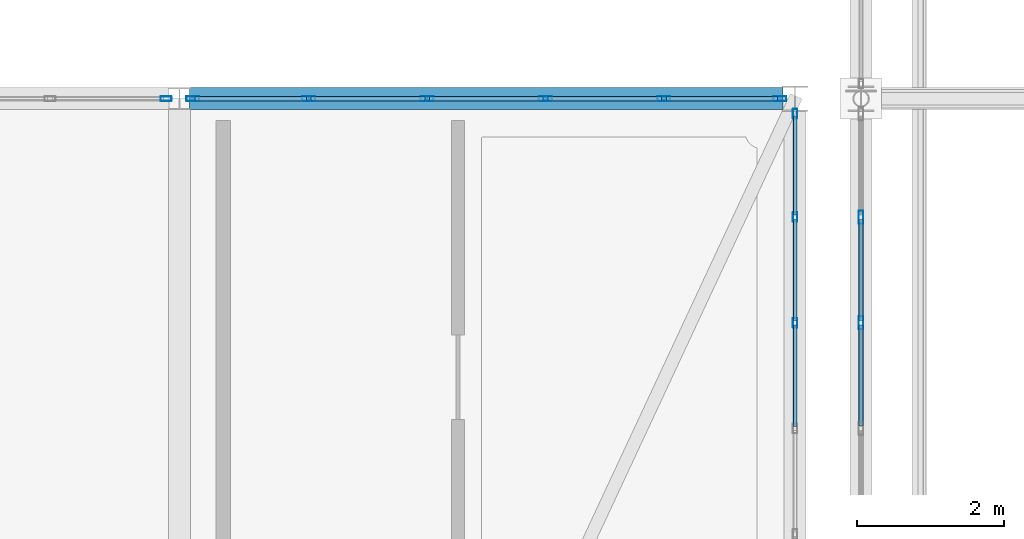
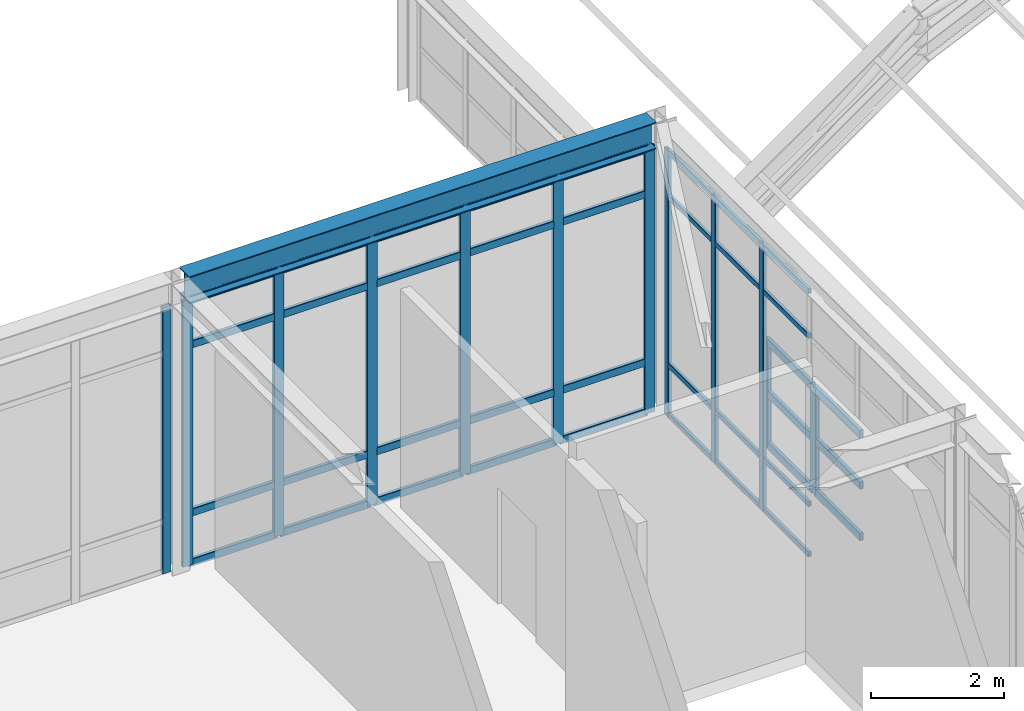
# One storey, part 71 of 121: 50 members, 1 beam, 4 elements without a shape of their own.
"""IFC4 building model written with IfcOpenShell, lengths in metres."""

from ifc_helpers import new_model, si_unit, direction, frame, origin, origin_2d, place, context, subcontext, project, spatial, hollow_rectangle, i_section, extrude, material, material_profile, profile_set, type_object, element, aggregate, save


model = new_model("IFC4")

# Units and contexts
model_context = context("Model", 3, precision=1e-05, world=origin(), true_north=direction((0.0, 1.0)))
body_context = subcontext(model_context, "Body", "Model", "MODEL_VIEW")
ifc_project = project(units=[si_unit("LENGTHUNIT", "METRE"), si_unit("AREAUNIT", "SQUARE_METRE"), si_unit("VOLUMEUNIT", "CUBIC_METRE"), si_unit("PLANEANGLEUNIT", "RADIAN"), si_unit("MASSUNIT", "GRAM", prefix="KILO")], contexts=[model_context])

# Site, building, storey
site_placement = place(None, origin())
site = spatial("IfcSite", under=ifc_project, at=site_placement, CompositionType="ELEMENT")
building_placement = place(site_placement, origin())
building = spatial("IfcBuilding", under=site, at=building_placement, Name="Canglan Escarpment Cableway Terminal", CompositionType="ELEMENT")
storey_placement = place(building_placement, frame((0.0, 0.0, 24.60009765625)))
storey = spatial("IfcBuildingStorey", under=building, at=storey_placement, Name="L05", CompositionType="ELEMENT", Elevation=24.60009765625)

# Beam
ifc_material_1 = material(Name="Steel Q355B", Category="steel")
ifc_material_profile_1 = material_profile(ifc_material_1, i_section(OverallWidth=0.300048828125, OverallDepth=0.488037109375, WebThickness=0.010986328125, FlangeThickness=0.01806640625, FilletRadius=0.02587890625, at=origin_2d()), Name="HM 488x300x11x18")
ifc_profile_set_1 = profile_set([ifc_material_profile_1], Name="Steel Q355B")
beam_type = type_object("IfcBeamType", Name="BM-HM488", PredefinedType="BEAM", material=ifc_profile_set_1)
beam_placement = place(storey_placement, frame((128.43994140625, 115.0, 5.139892578125), z_axis=(1.0, 0.0, 0.0), x_axis=(0.0, 1.0, 0.0)))
element("IfcBeam", 1, at=beam_placement, inside=storey, type_object=beam_type, Name="Drive House roof eave tie girder B-09", PredefinedType="BEAM", context=body_context, shape_type="SweptSolid", body=[
    extrude(i_section(OverallWidth=0.300048828125, OverallDepth=0.488037109375, WebThickness=0.010986328125, FlangeThickness=0.01806640625, FilletRadius=0.02587890625, at=origin_2d()), origin(), (0.0, 0.0, 1.0), 8.094970703125),
])

# Curtain wall, members
ifc_material_2 = material(Name="Anodized bronze aluminium and Low-E double glazing", Category="aluminium")
curtain_wall_type_1 = type_object("IfcCurtainWallType", Name="CW-BAY-8650x4875", PredefinedType="NOTDEFINED", material=ifc_material_2)
curtain_wall_1_placement = place(storey_placement, origin())
curtain_wall_1 = element("IfcCurtainWall", 2, at=curtain_wall_1_placement, inside=storey, type_object=curtain_wall_type_1, Name="Classical bay-between-piers glazed curtain wall CW-58", PredefinedType="NOTDEFINED")
ifc_material_3 = material(Name="Thermally broken anodized aluminium 6063-T6", Category="aluminium")
ifc_material_profile_2 = material_profile(ifc_material_3, hollow_rectangle(XDim=0.06005859375, YDim=0.1298828125, WallThickness=0.0029296875, InnerFilletRadius=0.0029296875, OuterFilletRadius=0.006103515625, at=origin_2d()), Name="ALU-MULL 60x130x3")
ifc_profile_set_2 = profile_set([ifc_material_profile_2], Name="Thermally broken anodized aluminium 6063-T6")
member_type_1 = type_object("IfcMemberType", Name="CWM-01", PredefinedType="MULLION", material=ifc_profile_set_2)
member_1_placement = place(storey_placement, frame((136.699951171875, 111.941650390625, 0.0), z_axis=(0.0, 0.0, 1.0), x_axis=(-1.0, 0.0, 0.0)))
member_1 = element("IfcMember", 3, at=member_1_placement, type_object=member_type_1, Name="CW-58 mullion 5", PredefinedType="MULLION", context=body_context, shape_type="SweptSolid", body=[
    extrude(hollow_rectangle(XDim=0.06005859375, YDim=0.1298828125, WallThickness=0.0029296875, InnerFilletRadius=0.0029296875, OuterFilletRadius=0.006103515625, at=origin_2d()), origin(), (0.0, 0.0, 1.0), 4.880859375),
])
member_2_placement = place(storey_placement, frame((136.699951171875, 113.38330078125, 0.0), z_axis=(0.0, 0.0, 1.0), x_axis=(-1.0, 0.0, 0.0)))
member_2 = element("IfcMember", 4, at=member_2_placement, type_object=member_type_1, Name="CW-58 mullion 6", PredefinedType="MULLION", context=body_context, shape_type="SweptSolid", body=[
    extrude(hollow_rectangle(XDim=0.06005859375, YDim=0.1298828125, WallThickness=0.0029296875, InnerFilletRadius=0.0029296875, OuterFilletRadius=0.006103515625, at=origin_2d()), origin(), (0.0, 0.0, 1.0), 4.880859375),
])
member_3_placement = place(storey_placement, frame((136.699951171875, 114.794921875, 0.0), z_axis=(0.0, 0.0, 1.0), x_axis=(-1.0, 0.0, 0.0)))
member_3 = element("IfcMember", 5, at=member_3_placement, type_object=member_type_1, Name="CW-58 mullion 7", PredefinedType="MULLION", context=body_context, shape_type="SweptSolid", body=[
    extrude(hollow_rectangle(XDim=0.06005859375, YDim=0.1298828125, WallThickness=0.0029296875, InnerFilletRadius=0.0029296875, OuterFilletRadius=0.006103515625, at=origin_2d()), origin(), (0.0, 0.0, 1.0), 4.880859375),
])

# Curtain wall, member
curtain_wall_type_2 = type_object("IfcCurtainWallType", Name="CW-BAY-8075x4875", PredefinedType="NOTDEFINED", material=ifc_material_2)
curtain_wall_2_placement = place(storey_placement, origin())
curtain_wall_2 = element("IfcCurtainWall", 6, at=curtain_wall_2_placement, inside=storey, type_object=curtain_wall_type_2, Name="Classical bay-between-piers glazed curtain wall CW-59", PredefinedType="NOTDEFINED")
ifc_material_profile_3 = material_profile(ifc_material_3, hollow_rectangle(XDim=0.06494140625, YDim=0.14990234375, WallThickness=0.00341796875, InnerFilletRadius=0.00341796875, OuterFilletRadius=0.007080078125, at=origin_2d()), Name="ALU-MULL 65x150x3.5")
ifc_profile_set_3 = profile_set([ifc_material_profile_3], Name="Thermally broken anodized aluminium 6063-T6")
member_type_2 = type_object("IfcMemberType", Name="CWM-02", PredefinedType="MULLION", material=ifc_profile_set_3)
member_4_placement = place(storey_placement, frame((128.117431640625, 115.0, 0.0), z_axis=(0.0, 0.0, 1.0), x_axis=(0.0, -1.0, 0.0)))
member_4 = element("IfcMember", 7, at=member_4_placement, type_object=member_type_2, Name="CW-59 mullion 1", PredefinedType="MULLION", context=body_context, shape_type="SweptSolid", body=[
    extrude(hollow_rectangle(XDim=0.06494140625, YDim=0.14990234375, WallThickness=0.00341796875, InnerFilletRadius=0.00341796875, OuterFilletRadius=0.007080078125, at=origin_2d()), origin(), (0.0, 0.0, 1.0), 4.880859375),
])
aggregate(curtain_wall_2, [member_4])

# Curtain wall, members
curtain_wall_3_placement = place(storey_placement, origin())
curtain_wall_3 = element("IfcCurtainWall", 8, at=curtain_wall_3_placement, inside=storey, type_object=curtain_wall_type_2, Name="Classical bay-between-piers glazed curtain wall CW-59", PredefinedType="NOTDEFINED")
ifc_material_profile_4 = material_profile(ifc_material_3, hollow_rectangle(XDim=0.06494140625, YDim=0.179931640625, WallThickness=0.00390625, InnerFilletRadius=0.00390625, OuterFilletRadius=0.008056640625, at=origin_2d()), Name="ALU-MULL 65x180x4")
ifc_profile_set_4 = profile_set([ifc_material_profile_4], Name="Thermally broken anodized aluminium 6063-T6")
member_type_3 = type_object("IfcMemberType", Name="CWM-03", PredefinedType="MULLION", material=ifc_profile_set_4)
member_5_placement = place(storey_placement, frame((136.492431640625, 115.0, 0.0), z_axis=(0.0, 0.0, 1.0), x_axis=(0.0, -1.0, 0.0)))
member_5 = element("IfcMember", 9, at=member_5_placement, type_object=member_type_3, Name="CW-59 mullion 1", PredefinedType="MULLION", context=body_context, shape_type="SweptSolid", body=[
    extrude(hollow_rectangle(XDim=0.06494140625, YDim=0.179931640625, WallThickness=0.00390625, InnerFilletRadius=0.00390625, OuterFilletRadius=0.008056640625, at=origin_2d()), origin(), (0.0, 0.0, 1.0), 4.880859375),
])
member_6_placement = place(storey_placement, frame((134.909912109375, 115.0, 0.0), z_axis=(0.0, 0.0, 1.0), x_axis=(0.0, -1.0, 0.0)))
member_6 = element("IfcMember", 10, at=member_6_placement, type_object=member_type_3, Name="CW-59 mullion 2", PredefinedType="MULLION", context=body_context, shape_type="SweptSolid", body=[
    extrude(hollow_rectangle(XDim=0.06494140625, YDim=0.179931640625, WallThickness=0.00390625, InnerFilletRadius=0.00390625, OuterFilletRadius=0.008056640625, at=origin_2d()), origin(), (0.0, 0.0, 1.0), 4.880859375),
])
member_7_placement = place(storey_placement, frame((133.294921875, 115.0, 0.0), z_axis=(0.0, 0.0, 1.0), x_axis=(0.0, -1.0, 0.0)))
member_7 = element("IfcMember", 11, at=member_7_placement, type_object=member_type_3, Name="CW-59 mullion 3", PredefinedType="MULLION", context=body_context, shape_type="SweptSolid", body=[
    extrude(hollow_rectangle(XDim=0.06494140625, YDim=0.179931640625, WallThickness=0.00390625, InnerFilletRadius=0.00390625, OuterFilletRadius=0.008056640625, at=origin_2d()), origin(), (0.0, 0.0, 1.0), 4.880859375),
])
member_8_placement = place(storey_placement, frame((131.679931640625, 115.0, 0.0), z_axis=(0.0, 0.0, 1.0), x_axis=(0.0, -1.0, 0.0)))
member_8 = element("IfcMember", 12, at=member_8_placement, type_object=member_type_3, Name="CW-59 mullion 4", PredefinedType="MULLION", context=body_context, shape_type="SweptSolid", body=[
    extrude(hollow_rectangle(XDim=0.06494140625, YDim=0.179931640625, WallThickness=0.00390625, InnerFilletRadius=0.00390625, OuterFilletRadius=0.008056640625, at=origin_2d()), origin(), (0.0, 0.0, 1.0), 4.880859375),
])
member_9_placement = place(storey_placement, frame((130.06494140625, 115.0, 0.0), z_axis=(0.0, 0.0, 1.0), x_axis=(0.0, -1.0, 0.0)))
member_9 = element("IfcMember", 13, at=member_9_placement, type_object=member_type_3, Name="CW-59 mullion 5", PredefinedType="MULLION", context=body_context, shape_type="SweptSolid", body=[
    extrude(hollow_rectangle(XDim=0.06494140625, YDim=0.179931640625, WallThickness=0.00390625, InnerFilletRadius=0.00390625, OuterFilletRadius=0.008056640625, at=origin_2d()), origin(), (0.0, 0.0, 1.0), 4.880859375),
])
member_10_placement = place(storey_placement, frame((128.482421875, 115.0, 0.0), z_axis=(0.0, 0.0, 1.0), x_axis=(0.0, -1.0, 0.0)))
member_10 = element("IfcMember", 14, at=member_10_placement, type_object=member_type_3, Name="CW-59 mullion 6", PredefinedType="MULLION", context=body_context, shape_type="SweptSolid", body=[
    extrude(hollow_rectangle(XDim=0.06494140625, YDim=0.179931640625, WallThickness=0.00390625, InnerFilletRadius=0.00390625, OuterFilletRadius=0.008056640625, at=origin_2d()), origin(), (0.0, 0.0, 1.0), 4.880859375),
])

curtain_wall_type_3 = type_object("IfcCurtainWallType", Name="CW-BAY-8650x1950", PredefinedType="NOTDEFINED", material=ifc_material_2)
curtain_wall_4_placement = place(storey_placement, origin())
curtain_wall_4 = element("IfcCurtainWall", 15, at=curtain_wall_4_placement, inside=storey, type_object=curtain_wall_type_3, Name="Classical bay-between-piers glazed curtain wall CW-66", PredefinedType="NOTDEFINED")
member_11_placement = place(storey_placement, frame((137.60009765625, 113.38330078125, 0.0), z_axis=(0.0, 0.0, 1.0), x_axis=(1.0, 0.0, 0.0)))
member_11 = element("IfcMember", 16, at=member_11_placement, type_object=member_type_3, Name="CW-66 mullion 2", PredefinedType="MULLION", context=body_context, shape_type="SweptSolid", body=[
    extrude(hollow_rectangle(XDim=0.06494140625, YDim=0.179931640625, WallThickness=0.00390625, InnerFilletRadius=0.00390625, OuterFilletRadius=0.008056640625, at=origin_2d()), origin(), (0.0, 0.0, 1.0), 1.949951171875),
])
member_12_placement = place(storey_placement, frame((137.60009765625, 111.941650390625, 0.0), z_axis=(0.0, 0.0, 1.0), x_axis=(1.0, 0.0, 0.0)))
member_12 = element("IfcMember", 17, at=member_12_placement, type_object=member_type_3, Name="CW-66 mullion 3", PredefinedType="MULLION", context=body_context, shape_type="SweptSolid", body=[
    extrude(hollow_rectangle(XDim=0.06494140625, YDim=0.179931640625, WallThickness=0.00390625, InnerFilletRadius=0.00390625, OuterFilletRadius=0.008056640625, at=origin_2d()), origin(), (0.0, 0.0, 1.0), 1.949951171875),
])

# Member
ifc_material_profile_5 = material_profile(ifc_material_3, hollow_rectangle(XDim=0.054931640625, YDim=0.094970703125, WallThickness=0.0029296875, InnerFilletRadius=0.0029296875, OuterFilletRadius=0.006103515625, at=origin_2d()), Name="ALU-TRAN 55x95x3")
ifc_profile_set_5 = profile_set([ifc_material_profile_5], Name="Thermally broken anodized aluminium 6063-T6")
member_type_4 = type_object("IfcMemberType", Name="CWT-01", PredefinedType="USERDEFINED", material=ifc_profile_set_5)
member_13_placement = place(storey_placement, frame((136.699951171875, 110.530029296875, 0.02734375), z_axis=(0.0, 1.0, 0.0), x_axis=(-1.0, 0.0, 0.0)))
member_13 = element("IfcMember", 18, at=member_13_placement, type_object=member_type_4, Name="CW-58 transom 4.1", ObjectType="TRANSOM", PredefinedType="USERDEFINED", context=body_context, shape_type="SweptSolid", body=[
    extrude(hollow_rectangle(XDim=0.054931640625, YDim=0.094970703125, WallThickness=0.0029296875, InnerFilletRadius=0.0029296875, OuterFilletRadius=0.006103515625, at=origin_2d()), origin(), (0.0, 0.0, 1.0), 1.381591796875),
])

member_14_placement = place(storey_placement, frame((136.699951171875, 110.530029296875, 0.949951171875), z_axis=(0.0, 1.0, 0.0), x_axis=(-1.0, 0.0, 0.0)))
member_14 = element("IfcMember", 19, at=member_14_placement, type_object=member_type_4, Name="CW-58 transom 4.2", ObjectType="TRANSOM", PredefinedType="USERDEFINED", context=body_context, shape_type="SweptSolid", body=[
    extrude(hollow_rectangle(XDim=0.054931640625, YDim=0.094970703125, WallThickness=0.0029296875, InnerFilletRadius=0.0029296875, OuterFilletRadius=0.006103515625, at=origin_2d()), origin(), (0.0, 0.0, 1.0), 1.381591796875),
])

member_15_placement = place(storey_placement, frame((136.699951171875, 110.530029296875, 4.031005859375), z_axis=(0.0, 1.0, 0.0), x_axis=(-1.0, 0.0, 0.0)))
member_15 = element("IfcMember", 20, at=member_15_placement, type_object=member_type_4, Name="CW-58 transom 4.3", ObjectType="TRANSOM", PredefinedType="USERDEFINED", context=body_context, shape_type="SweptSolid", body=[
    extrude(hollow_rectangle(XDim=0.054931640625, YDim=0.094970703125, WallThickness=0.0029296875, InnerFilletRadius=0.0029296875, OuterFilletRadius=0.006103515625, at=origin_2d()), origin(), (0.0, 0.0, 1.0), 1.381591796875),
])

member_16_placement = place(storey_placement, frame((136.699951171875, 110.530029296875, 4.853515625), z_axis=(0.0, 1.0, 0.0), x_axis=(-1.0, 0.0, 0.0)))
member_16 = element("IfcMember", 21, at=member_16_placement, type_object=member_type_4, Name="CW-58 transom 4.4", ObjectType="TRANSOM", PredefinedType="USERDEFINED", context=body_context, shape_type="SweptSolid", body=[
    extrude(hollow_rectangle(XDim=0.054931640625, YDim=0.094970703125, WallThickness=0.0029296875, InnerFilletRadius=0.0029296875, OuterFilletRadius=0.006103515625, at=origin_2d()), origin(), (0.0, 0.0, 1.0), 1.381591796875),
])

member_17_placement = place(storey_placement, frame((136.699951171875, 111.9716796875, 0.02734375), z_axis=(0.0, 1.0, 0.0), x_axis=(-1.0, 0.0, 0.0)))
member_17 = element("IfcMember", 22, at=member_17_placement, type_object=member_type_4, Name="CW-58 transom 5.1", ObjectType="TRANSOM", PredefinedType="USERDEFINED", context=body_context, shape_type="SweptSolid", body=[
    extrude(hollow_rectangle(XDim=0.054931640625, YDim=0.094970703125, WallThickness=0.0029296875, InnerFilletRadius=0.0029296875, OuterFilletRadius=0.006103515625, at=origin_2d()), origin(), (0.0, 0.0, 1.0), 1.381591796875),
])

member_18_placement = place(storey_placement, frame((136.699951171875, 111.9716796875, 0.949951171875), z_axis=(0.0, 1.0, 0.0), x_axis=(-1.0, 0.0, 0.0)))
member_18 = element("IfcMember", 23, at=member_18_placement, type_object=member_type_4, Name="CW-58 transom 5.2", ObjectType="TRANSOM", PredefinedType="USERDEFINED", context=body_context, shape_type="SweptSolid", body=[
    extrude(hollow_rectangle(XDim=0.054931640625, YDim=0.094970703125, WallThickness=0.0029296875, InnerFilletRadius=0.0029296875, OuterFilletRadius=0.006103515625, at=origin_2d()), origin(), (0.0, 0.0, 1.0), 1.381591796875),
])

member_19_placement = place(storey_placement, frame((136.699951171875, 111.9716796875, 4.031005859375), z_axis=(0.0, 1.0, 0.0), x_axis=(-1.0, 0.0, 0.0)))
member_19 = element("IfcMember", 24, at=member_19_placement, type_object=member_type_4, Name="CW-58 transom 5.3", ObjectType="TRANSOM", PredefinedType="USERDEFINED", context=body_context, shape_type="SweptSolid", body=[
    extrude(hollow_rectangle(XDim=0.054931640625, YDim=0.094970703125, WallThickness=0.0029296875, InnerFilletRadius=0.0029296875, OuterFilletRadius=0.006103515625, at=origin_2d()), origin(), (0.0, 0.0, 1.0), 1.381591796875),
])

member_20_placement = place(storey_placement, frame((136.699951171875, 111.9716796875, 4.853515625), z_axis=(0.0, 1.0, 0.0), x_axis=(-1.0, 0.0, 0.0)))
member_20 = element("IfcMember", 25, at=member_20_placement, type_object=member_type_4, Name="CW-58 transom 5.4", ObjectType="TRANSOM", PredefinedType="USERDEFINED", context=body_context, shape_type="SweptSolid", body=[
    extrude(hollow_rectangle(XDim=0.054931640625, YDim=0.094970703125, WallThickness=0.0029296875, InnerFilletRadius=0.0029296875, OuterFilletRadius=0.006103515625, at=origin_2d()), origin(), (0.0, 0.0, 1.0), 1.381591796875),
])

member_21_placement = place(storey_placement, frame((136.699951171875, 113.413330078125, 0.02734375), z_axis=(0.0, 1.0, 0.0), x_axis=(-1.0, 0.0, 0.0)))
member_21 = element("IfcMember", 26, at=member_21_placement, type_object=member_type_4, Name="CW-58 transom 6.1", ObjectType="TRANSOM", PredefinedType="USERDEFINED", context=body_context, shape_type="SweptSolid", body=[
    extrude(hollow_rectangle(XDim=0.054931640625, YDim=0.094970703125, WallThickness=0.0029296875, InnerFilletRadius=0.0029296875, OuterFilletRadius=0.006103515625, at=origin_2d()), origin(), (0.0, 0.0, 1.0), 1.3515625),
])

member_22_placement = place(storey_placement, frame((136.699951171875, 113.413330078125, 0.949951171875), z_axis=(0.0, 1.0, 0.0), x_axis=(-1.0, 0.0, 0.0)))
member_22 = element("IfcMember", 27, at=member_22_placement, type_object=member_type_4, Name="CW-58 transom 6.2", ObjectType="TRANSOM", PredefinedType="USERDEFINED", context=body_context, shape_type="SweptSolid", body=[
    extrude(hollow_rectangle(XDim=0.054931640625, YDim=0.094970703125, WallThickness=0.0029296875, InnerFilletRadius=0.0029296875, OuterFilletRadius=0.006103515625, at=origin_2d()), origin(), (0.0, 0.0, 1.0), 1.3515625),
])

member_23_placement = place(storey_placement, frame((136.699951171875, 113.413330078125, 4.031005859375), z_axis=(0.0, 1.0, 0.0), x_axis=(-1.0, 0.0, 0.0)))
member_23 = element("IfcMember", 28, at=member_23_placement, type_object=member_type_4, Name="CW-58 transom 6.3", ObjectType="TRANSOM", PredefinedType="USERDEFINED", context=body_context, shape_type="SweptSolid", body=[
    extrude(hollow_rectangle(XDim=0.054931640625, YDim=0.094970703125, WallThickness=0.0029296875, InnerFilletRadius=0.0029296875, OuterFilletRadius=0.006103515625, at=origin_2d()), origin(), (0.0, 0.0, 1.0), 1.3515625),
])

member_24_placement = place(storey_placement, frame((136.699951171875, 113.413330078125, 4.853515625), z_axis=(0.0, 1.0, 0.0), x_axis=(-1.0, 0.0, 0.0)))
member_24 = element("IfcMember", 29, at=member_24_placement, type_object=member_type_4, Name="CW-58 transom 6.4", ObjectType="TRANSOM", PredefinedType="USERDEFINED", context=body_context, shape_type="SweptSolid", body=[
    extrude(hollow_rectangle(XDim=0.054931640625, YDim=0.094970703125, WallThickness=0.0029296875, InnerFilletRadius=0.0029296875, OuterFilletRadius=0.006103515625, at=origin_2d()), origin(), (0.0, 0.0, 1.0), 1.3515625),
])

aggregate(curtain_wall_1, [member_1, member_2, member_3, member_13, member_14, member_15, member_16, member_17, member_18, member_19, member_20, member_21, member_22, member_23, member_24])

ifc_material_profile_6 = material_profile(ifc_material_3, hollow_rectangle(XDim=0.06494140625, YDim=0.139892578125, WallThickness=0.00341796875, InnerFilletRadius=0.00341796875, OuterFilletRadius=0.007080078125, at=origin_2d()), Name="ALU-TRAN 65x140x3.5")
ifc_profile_set_6 = profile_set([ifc_material_profile_6], Name="Thermally broken anodized aluminium 6063-T6")
member_type_5 = type_object("IfcMemberType", Name="CWT-03", PredefinedType="USERDEFINED", material=ifc_profile_set_6)
member_25_placement = place(storey_placement, frame((136.4599609375, 115.0, 0.032470703125), z_axis=(-1.0, 0.0, 0.0), x_axis=(0.0, -1.0, 0.0)))
member_25 = element("IfcMember", 30, at=member_25_placement, type_object=member_type_5, Name="CW-59 transom 1.1", ObjectType="TRANSOM", PredefinedType="USERDEFINED", context=body_context, shape_type="SweptSolid", body=[
    extrude(hollow_rectangle(XDim=0.06494140625, YDim=0.139892578125, WallThickness=0.00341796875, InnerFilletRadius=0.00341796875, OuterFilletRadius=0.007080078125, at=origin_2d()), origin(), (0.0, 0.0, 1.0), 1.517578125),
])

member_26_placement = place(storey_placement, frame((136.4599609375, 115.0, 0.949951171875), z_axis=(-1.0, 0.0, 0.0), x_axis=(0.0, -1.0, 0.0)))
member_26 = element("IfcMember", 31, at=member_26_placement, type_object=member_type_5, Name="CW-59 transom 1.2", ObjectType="TRANSOM", PredefinedType="USERDEFINED", context=body_context, shape_type="SweptSolid", body=[
    extrude(hollow_rectangle(XDim=0.06494140625, YDim=0.139892578125, WallThickness=0.00341796875, InnerFilletRadius=0.00341796875, OuterFilletRadius=0.007080078125, at=origin_2d()), origin(), (0.0, 0.0, 1.0), 1.517578125),
])

member_27_placement = place(storey_placement, frame((136.4599609375, 115.0, 4.031005859375), z_axis=(-1.0, 0.0, 0.0), x_axis=(0.0, -1.0, 0.0)))
member_27 = element("IfcMember", 32, at=member_27_placement, type_object=member_type_5, Name="CW-59 transom 1.3", ObjectType="TRANSOM", PredefinedType="USERDEFINED", context=body_context, shape_type="SweptSolid", body=[
    extrude(hollow_rectangle(XDim=0.06494140625, YDim=0.139892578125, WallThickness=0.00341796875, InnerFilletRadius=0.00341796875, OuterFilletRadius=0.007080078125, at=origin_2d()), origin(), (0.0, 0.0, 1.0), 1.517578125),
])

member_28_placement = place(storey_placement, frame((136.4599609375, 115.0, 4.848388671875), z_axis=(-1.0, 0.0, 0.0), x_axis=(0.0, -1.0, 0.0)))
member_28 = element("IfcMember", 33, at=member_28_placement, type_object=member_type_5, Name="CW-59 transom 1.4", ObjectType="TRANSOM", PredefinedType="USERDEFINED", context=body_context, shape_type="SweptSolid", body=[
    extrude(hollow_rectangle(XDim=0.06494140625, YDim=0.139892578125, WallThickness=0.00341796875, InnerFilletRadius=0.00341796875, OuterFilletRadius=0.007080078125, at=origin_2d()), origin(), (0.0, 0.0, 1.0), 1.517578125),
])

member_29_placement = place(storey_placement, frame((134.87744140625, 115.0, 0.032470703125), z_axis=(-1.0, 0.0, 0.0), x_axis=(0.0, -1.0, 0.0)))
member_29 = element("IfcMember", 34, at=member_29_placement, type_object=member_type_5, Name="CW-59 transom 2.1", ObjectType="TRANSOM", PredefinedType="USERDEFINED", context=body_context, shape_type="SweptSolid", body=[
    extrude(hollow_rectangle(XDim=0.06494140625, YDim=0.139892578125, WallThickness=0.00341796875, InnerFilletRadius=0.00341796875, OuterFilletRadius=0.007080078125, at=origin_2d()), origin(), (0.0, 0.0, 1.0), 1.550048828125),
])

member_30_placement = place(storey_placement, frame((134.87744140625, 115.0, 0.949951171875), z_axis=(-1.0, 0.0, 0.0), x_axis=(0.0, -1.0, 0.0)))
member_30 = element("IfcMember", 35, at=member_30_placement, type_object=member_type_5, Name="CW-59 transom 2.2", ObjectType="TRANSOM", PredefinedType="USERDEFINED", context=body_context, shape_type="SweptSolid", body=[
    extrude(hollow_rectangle(XDim=0.06494140625, YDim=0.139892578125, WallThickness=0.00341796875, InnerFilletRadius=0.00341796875, OuterFilletRadius=0.007080078125, at=origin_2d()), origin(), (0.0, 0.0, 1.0), 1.550048828125),
])

member_31_placement = place(storey_placement, frame((134.87744140625, 115.0, 4.031005859375), z_axis=(-1.0, 0.0, 0.0), x_axis=(0.0, -1.0, 0.0)))
member_31 = element("IfcMember", 36, at=member_31_placement, type_object=member_type_5, Name="CW-59 transom 2.3", ObjectType="TRANSOM", PredefinedType="USERDEFINED", context=body_context, shape_type="SweptSolid", body=[
    extrude(hollow_rectangle(XDim=0.06494140625, YDim=0.139892578125, WallThickness=0.00341796875, InnerFilletRadius=0.00341796875, OuterFilletRadius=0.007080078125, at=origin_2d()), origin(), (0.0, 0.0, 1.0), 1.550048828125),
])

member_32_placement = place(storey_placement, frame((134.87744140625, 115.0, 4.848388671875), z_axis=(-1.0, 0.0, 0.0), x_axis=(0.0, -1.0, 0.0)))
member_32 = element("IfcMember", 37, at=member_32_placement, type_object=member_type_5, Name="CW-59 transom 2.4", ObjectType="TRANSOM", PredefinedType="USERDEFINED", context=body_context, shape_type="SweptSolid", body=[
    extrude(hollow_rectangle(XDim=0.06494140625, YDim=0.139892578125, WallThickness=0.00341796875, InnerFilletRadius=0.00341796875, OuterFilletRadius=0.007080078125, at=origin_2d()), origin(), (0.0, 0.0, 1.0), 1.550048828125),
])

member_33_placement = place(storey_placement, frame((133.262451171875, 115.0, 0.032470703125), z_axis=(-1.0, 0.0, 0.0), x_axis=(0.0, -1.0, 0.0)))
member_33 = element("IfcMember", 38, at=member_33_placement, type_object=member_type_5, Name="CW-59 transom 3.1", ObjectType="TRANSOM", PredefinedType="USERDEFINED", context=body_context, shape_type="SweptSolid", body=[
    extrude(hollow_rectangle(XDim=0.06494140625, YDim=0.139892578125, WallThickness=0.00341796875, InnerFilletRadius=0.00341796875, OuterFilletRadius=0.007080078125, at=origin_2d()), origin(), (0.0, 0.0, 1.0), 1.550048828125),
])

member_34_placement = place(storey_placement, frame((133.262451171875, 115.0, 0.949951171875), z_axis=(-1.0, 0.0, 0.0), x_axis=(0.0, -1.0, 0.0)))
member_34 = element("IfcMember", 39, at=member_34_placement, type_object=member_type_5, Name="CW-59 transom 3.2", ObjectType="TRANSOM", PredefinedType="USERDEFINED", context=body_context, shape_type="SweptSolid", body=[
    extrude(hollow_rectangle(XDim=0.06494140625, YDim=0.139892578125, WallThickness=0.00341796875, InnerFilletRadius=0.00341796875, OuterFilletRadius=0.007080078125, at=origin_2d()), origin(), (0.0, 0.0, 1.0), 1.550048828125),
])

member_35_placement = place(storey_placement, frame((133.262451171875, 115.0, 4.031005859375), z_axis=(-1.0, 0.0, 0.0), x_axis=(0.0, -1.0, 0.0)))
member_35 = element("IfcMember", 40, at=member_35_placement, type_object=member_type_5, Name="CW-59 transom 3.3", ObjectType="TRANSOM", PredefinedType="USERDEFINED", context=body_context, shape_type="SweptSolid", body=[
    extrude(hollow_rectangle(XDim=0.06494140625, YDim=0.139892578125, WallThickness=0.00341796875, InnerFilletRadius=0.00341796875, OuterFilletRadius=0.007080078125, at=origin_2d()), origin(), (0.0, 0.0, 1.0), 1.550048828125),
])

member_36_placement = place(storey_placement, frame((133.262451171875, 115.0, 4.848388671875), z_axis=(-1.0, 0.0, 0.0), x_axis=(0.0, -1.0, 0.0)))
member_36 = element("IfcMember", 41, at=member_36_placement, type_object=member_type_5, Name="CW-59 transom 3.4", ObjectType="TRANSOM", PredefinedType="USERDEFINED", context=body_context, shape_type="SweptSolid", body=[
    extrude(hollow_rectangle(XDim=0.06494140625, YDim=0.139892578125, WallThickness=0.00341796875, InnerFilletRadius=0.00341796875, OuterFilletRadius=0.007080078125, at=origin_2d()), origin(), (0.0, 0.0, 1.0), 1.550048828125),
])

member_37_placement = place(storey_placement, frame((131.6474609375, 115.0, 0.032470703125), z_axis=(-1.0, 0.0, 0.0), x_axis=(0.0, -1.0, 0.0)))
member_37 = element("IfcMember", 42, at=member_37_placement, type_object=member_type_5, Name="CW-59 transom 4.1", ObjectType="TRANSOM", PredefinedType="USERDEFINED", context=body_context, shape_type="SweptSolid", body=[
    extrude(hollow_rectangle(XDim=0.06494140625, YDim=0.139892578125, WallThickness=0.00341796875, InnerFilletRadius=0.00341796875, OuterFilletRadius=0.007080078125, at=origin_2d()), origin(), (0.0, 0.0, 1.0), 1.550048828125),
])

member_38_placement = place(storey_placement, frame((131.6474609375, 115.0, 0.949951171875), z_axis=(-1.0, 0.0, 0.0), x_axis=(0.0, -1.0, 0.0)))
member_38 = element("IfcMember", 43, at=member_38_placement, type_object=member_type_5, Name="CW-59 transom 4.2", ObjectType="TRANSOM", PredefinedType="USERDEFINED", context=body_context, shape_type="SweptSolid", body=[
    extrude(hollow_rectangle(XDim=0.06494140625, YDim=0.139892578125, WallThickness=0.00341796875, InnerFilletRadius=0.00341796875, OuterFilletRadius=0.007080078125, at=origin_2d()), origin(), (0.0, 0.0, 1.0), 1.550048828125),
])

member_39_placement = place(storey_placement, frame((131.6474609375, 115.0, 4.031005859375), z_axis=(-1.0, 0.0, 0.0), x_axis=(0.0, -1.0, 0.0)))
member_39 = element("IfcMember", 44, at=member_39_placement, type_object=member_type_5, Name="CW-59 transom 4.3", ObjectType="TRANSOM", PredefinedType="USERDEFINED", context=body_context, shape_type="SweptSolid", body=[
    extrude(hollow_rectangle(XDim=0.06494140625, YDim=0.139892578125, WallThickness=0.00341796875, InnerFilletRadius=0.00341796875, OuterFilletRadius=0.007080078125, at=origin_2d()), origin(), (0.0, 0.0, 1.0), 1.550048828125),
])

member_40_placement = place(storey_placement, frame((131.6474609375, 115.0, 4.848388671875), z_axis=(-1.0, 0.0, 0.0), x_axis=(0.0, -1.0, 0.0)))
member_40 = element("IfcMember", 45, at=member_40_placement, type_object=member_type_5, Name="CW-59 transom 4.4", ObjectType="TRANSOM", PredefinedType="USERDEFINED", context=body_context, shape_type="SweptSolid", body=[
    extrude(hollow_rectangle(XDim=0.06494140625, YDim=0.139892578125, WallThickness=0.00341796875, InnerFilletRadius=0.00341796875, OuterFilletRadius=0.007080078125, at=origin_2d()), origin(), (0.0, 0.0, 1.0), 1.550048828125),
])

member_41_placement = place(storey_placement, frame((130.032470703125, 115.0, 0.032470703125), z_axis=(-1.0, 0.0, 0.0), x_axis=(0.0, -1.0, 0.0)))
member_41 = element("IfcMember", 46, at=member_41_placement, type_object=member_type_5, Name="CW-59 transom 5.1", ObjectType="TRANSOM", PredefinedType="USERDEFINED", context=body_context, shape_type="SweptSolid", body=[
    extrude(hollow_rectangle(XDim=0.06494140625, YDim=0.139892578125, WallThickness=0.00341796875, InnerFilletRadius=0.00341796875, OuterFilletRadius=0.007080078125, at=origin_2d()), origin(), (0.0, 0.0, 1.0), 1.517578125),
])

member_42_placement = place(storey_placement, frame((130.032470703125, 115.0, 0.949951171875), z_axis=(-1.0, 0.0, 0.0), x_axis=(0.0, -1.0, 0.0)))
member_42 = element("IfcMember", 47, at=member_42_placement, type_object=member_type_5, Name="CW-59 transom 5.2", ObjectType="TRANSOM", PredefinedType="USERDEFINED", context=body_context, shape_type="SweptSolid", body=[
    extrude(hollow_rectangle(XDim=0.06494140625, YDim=0.139892578125, WallThickness=0.00341796875, InnerFilletRadius=0.00341796875, OuterFilletRadius=0.007080078125, at=origin_2d()), origin(), (0.0, 0.0, 1.0), 1.517578125),
])

member_43_placement = place(storey_placement, frame((130.032470703125, 115.0, 4.031005859375), z_axis=(-1.0, 0.0, 0.0), x_axis=(0.0, -1.0, 0.0)))
member_43 = element("IfcMember", 48, at=member_43_placement, type_object=member_type_5, Name="CW-59 transom 5.3", ObjectType="TRANSOM", PredefinedType="USERDEFINED", context=body_context, shape_type="SweptSolid", body=[
    extrude(hollow_rectangle(XDim=0.06494140625, YDim=0.139892578125, WallThickness=0.00341796875, InnerFilletRadius=0.00341796875, OuterFilletRadius=0.007080078125, at=origin_2d()), origin(), (0.0, 0.0, 1.0), 1.517578125),
])

member_44_placement = place(storey_placement, frame((130.032470703125, 115.0, 4.848388671875), z_axis=(-1.0, 0.0, 0.0), x_axis=(0.0, -1.0, 0.0)))
member_44 = element("IfcMember", 49, at=member_44_placement, type_object=member_type_5, Name="CW-59 transom 5.4", ObjectType="TRANSOM", PredefinedType="USERDEFINED", context=body_context, shape_type="SweptSolid", body=[
    extrude(hollow_rectangle(XDim=0.06494140625, YDim=0.139892578125, WallThickness=0.00341796875, InnerFilletRadius=0.00341796875, OuterFilletRadius=0.007080078125, at=origin_2d()), origin(), (0.0, 0.0, 1.0), 1.517578125),
])

aggregate(curtain_wall_3, [member_5, member_6, member_7, member_8, member_9, member_10, member_25, member_26, member_27, member_28, member_29, member_30, member_31, member_32, member_33, member_34, member_35, member_36, member_37, member_38, member_39, member_40, member_41, member_42, member_43, member_44])

member_45_placement = place(storey_placement, frame((137.60009765625, 113.350830078125, 0.032470703125), z_axis=(0.0, -1.0, 0.0), x_axis=(1.0, 0.0, 0.0)))
member_45 = element("IfcMember", 50, at=member_45_placement, type_object=member_type_5, Name="CW-66 transom 2.1", ObjectType="TRANSOM", PredefinedType="USERDEFINED", context=body_context, shape_type="SweptSolid", body=[
    extrude(hollow_rectangle(XDim=0.06494140625, YDim=0.139892578125, WallThickness=0.00341796875, InnerFilletRadius=0.00341796875, OuterFilletRadius=0.007080078125, at=origin_2d()), origin(), (0.0, 0.0, 1.0), 1.376708984375),
])

member_46_placement = place(storey_placement, frame((137.60009765625, 113.350830078125, 0.974853515625), z_axis=(0.0, -1.0, 0.0), x_axis=(1.0, 0.0, 0.0)))
member_46 = element("IfcMember", 51, at=member_46_placement, type_object=member_type_5, Name="CW-66 transom 2.2", ObjectType="TRANSOM", PredefinedType="USERDEFINED", context=body_context, shape_type="SweptSolid", body=[
    extrude(hollow_rectangle(XDim=0.06494140625, YDim=0.139892578125, WallThickness=0.00341796875, InnerFilletRadius=0.00341796875, OuterFilletRadius=0.007080078125, at=origin_2d()), origin(), (0.0, 0.0, 1.0), 1.376708984375),
])

member_47_placement = place(storey_placement, frame((137.60009765625, 113.350830078125, 1.91748046875), z_axis=(0.0, -1.0, 0.0), x_axis=(1.0, 0.0, 0.0)))
member_47 = element("IfcMember", 52, at=member_47_placement, type_object=member_type_5, Name="CW-66 transom 2.3", ObjectType="TRANSOM", PredefinedType="USERDEFINED", context=body_context, shape_type="SweptSolid", body=[
    extrude(hollow_rectangle(XDim=0.06494140625, YDim=0.139892578125, WallThickness=0.00341796875, InnerFilletRadius=0.00341796875, OuterFilletRadius=0.007080078125, at=origin_2d()), origin(), (0.0, 0.0, 1.0), 1.376708984375),
])

member_48_placement = place(storey_placement, frame((137.60009765625, 111.9091796875, 0.032470703125), z_axis=(0.0, -1.0, 0.0), x_axis=(1.0, 0.0, 0.0)))
member_48 = element("IfcMember", 53, at=member_48_placement, type_object=member_type_5, Name="CW-66 transom 3.1", ObjectType="TRANSOM", PredefinedType="USERDEFINED", context=body_context, shape_type="SweptSolid", body=[
    extrude(hollow_rectangle(XDim=0.06494140625, YDim=0.139892578125, WallThickness=0.00341796875, InnerFilletRadius=0.00341796875, OuterFilletRadius=0.007080078125, at=origin_2d()), origin(), (0.0, 0.0, 1.0), 1.376708984375),
])

member_49_placement = place(storey_placement, frame((137.60009765625, 111.9091796875, 0.974853515625), z_axis=(0.0, -1.0, 0.0), x_axis=(1.0, 0.0, 0.0)))
member_49 = element("IfcMember", 54, at=member_49_placement, type_object=member_type_5, Name="CW-66 transom 3.2", ObjectType="TRANSOM", PredefinedType="USERDEFINED", context=body_context, shape_type="SweptSolid", body=[
    extrude(hollow_rectangle(XDim=0.06494140625, YDim=0.139892578125, WallThickness=0.00341796875, InnerFilletRadius=0.00341796875, OuterFilletRadius=0.007080078125, at=origin_2d()), origin(), (0.0, 0.0, 1.0), 1.376708984375),
])

member_50_placement = place(storey_placement, frame((137.60009765625, 111.9091796875, 1.91748046875), z_axis=(0.0, -1.0, 0.0), x_axis=(1.0, 0.0, 0.0)))
member_50 = element("IfcMember", 55, at=member_50_placement, type_object=member_type_5, Name="CW-66 transom 3.3", ObjectType="TRANSOM", PredefinedType="USERDEFINED", context=body_context, shape_type="SweptSolid", body=[
    extrude(hollow_rectangle(XDim=0.06494140625, YDim=0.139892578125, WallThickness=0.00341796875, InnerFilletRadius=0.00341796875, OuterFilletRadius=0.007080078125, at=origin_2d()), origin(), (0.0, 0.0, 1.0), 1.376708984375),
])

aggregate(curtain_wall_4, [member_11, member_12, member_45, member_46, member_47, member_48, member_49, member_50])

save(model, "model.ifc")
